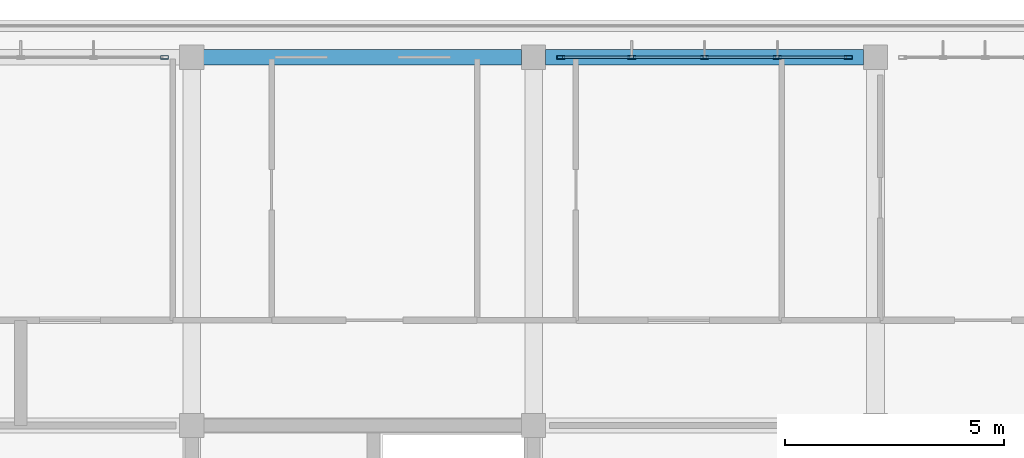
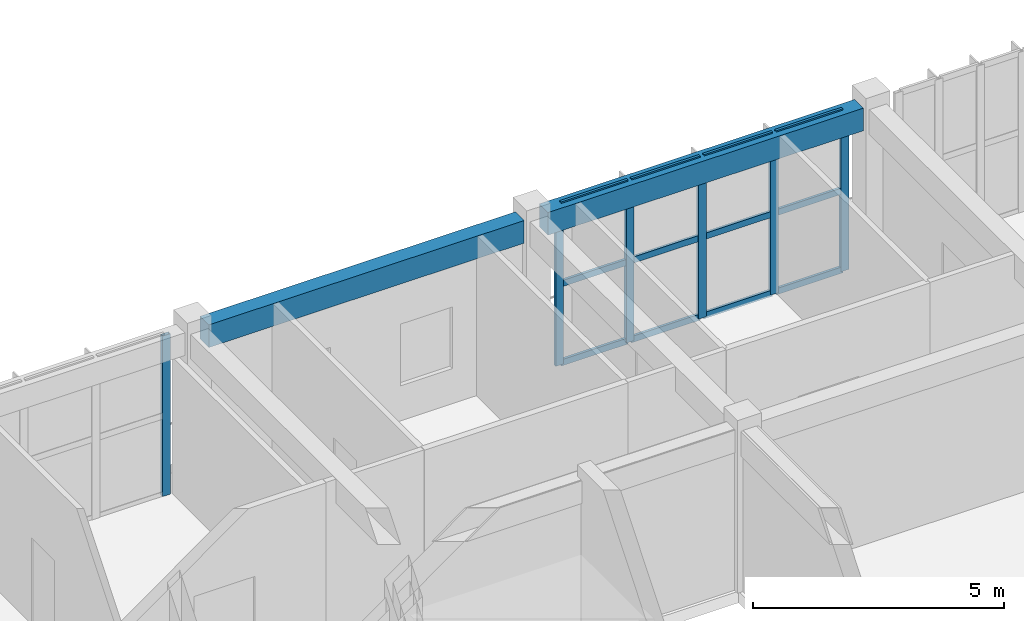
# One storey, part 18 of 44: 18 members, 2 beams, 2 elements without a shape of their own.
"""IFC4 building model written with IfcOpenShell, lengths in metres."""

import ifcopenshell
import ifcopenshell.guid

model = None  # the IFC model being written
_history = None  # IfcOwnerHistory: only IFC2X3 demands one
_inside = {}  # id of a spatial element -> (the spatial element, [elements in it])
_under = {}  # id of a project, library or spatial element -> (it, [spatial elements below it])
_declared = {}  # id of a project -> (the project, [libraries it declares])
_typed = {}  # id of a type object -> (the type object, [elements of that type])
_made_of = {}  # id of a material, layer set ... -> (it, [elements and type objects made of it])


def new_model(schema):
    """Start an empty IFC model of exactly this schema.

    Asked for "IFC4X3", IfcOpenShell would pick the latest addendum, in which some entities
    have other attributes; the version numbers below select the first issue.
    IFC2X3 requires an IfcOwnerHistory on every rooted entity: one is made here for all.
    """
    global model, _history
    if schema == "IFC4X3":
        model = ifcopenshell.file(schema_version=(4, 3, 0, 0))
    else:
        model = ifcopenshell.file(schema=schema)
    _inside.clear()
    _under.clear()
    _declared.clear()
    _typed.clear()
    _made_of.clear()
    _history = None
    if model.schema == "IFC2X3":
        org = make("IfcOrganization", Name="unknown")
        user = make(
            "IfcPersonAndOrganization",
            ThePerson=make("IfcPerson", FamilyName="unknown"),
            TheOrganization=org,
        )
        app = make(
            "IfcApplication",
            ApplicationDeveloper=org,
            Version="unknown",
            ApplicationFullName="unknown",
            ApplicationIdentifier="unknown",
        )
        _history = make(
            "IfcOwnerHistory",
            OwningUser=user,
            OwningApplication=app,
            ChangeAction="ADDED",
            CreationDate=0,
        )
    return model


def make(cls, **values):
    """One entity of the class cls with the attributes given. An attribute that is None is left unset."""
    return model.create_entity(
        cls, **{name: value for name, value in values.items() if value is not None}
    )


def rooted(cls, **values):
    """An entity with a GlobalId (a new one), such as an element, a storey or a relation."""
    return make(cls, GlobalId=ifcopenshell.guid.new(), OwnerHistory=_history, **values)


def si_unit(unit_type, name, prefix=None):
    """IfcSIUnit, for example si_unit("LENGTHUNIT", "METRE", prefix="MILLI")."""
    return make("IfcSIUnit", UnitType=unit_type, Prefix=prefix, Name=name)


def assignment(units):
    """IfcUnitAssignment: the units of a project."""
    return None if units is None else make("IfcUnitAssignment", Units=units)


def point(xyz):
    """IfcCartesianPoint."""
    return None if xyz is None else make("IfcCartesianPoint", Coordinates=xyz)


def direction(xyz):
    """IfcDirection."""
    return None if xyz is None else make("IfcDirection", DirectionRatios=xyz)


def frame(location, z_axis=None, x_axis=None):
    """IfcAxis2Placement3D, a coordinate frame: its origin and axes. An axis left out is left unset."""
    return make(
        "IfcAxis2Placement3D",
        Location=point(location),
        Axis=direction(z_axis),
        RefDirection=direction(x_axis),
    )


def frame_2d(location, x_axis=None):
    """IfcAxis2Placement2D, a coordinate frame in the plane: its origin and x axis."""
    return make(
        "IfcAxis2Placement2D", Location=point(location), RefDirection=direction(x_axis)
    )


def origin():
    """The frame at (0, 0, 0) with its axes left unset."""
    return frame((0.0, 0.0, 0.0))


def origin_2d():
    """The frame at (0, 0) in the plane with its x axis left unset."""
    return frame_2d((0.0, 0.0))


def place(relative_to, where):
    """IfcLocalPlacement: puts the frame where relative to a parent placement (None: the world)."""
    return make(
        "IfcLocalPlacement", PlacementRelTo=relative_to, RelativePlacement=where
    )


def context(
    kind, dimensions, precision=None, world=None, true_north=None, identifier=None
):
    """IfcGeometricRepresentationContext, for example the 3D "Model" context."""
    return make(
        "IfcGeometricRepresentationContext",
        ContextIdentifier=identifier,
        ContextType=kind,
        CoordinateSpaceDimension=dimensions,
        Precision=precision,
        WorldCoordinateSystem=world,
        TrueNorth=true_north,
    )


def subcontext(parent, identifier, kind, view, scale=None):
    """IfcGeometricRepresentationSubContext, for example "Body" below "Model"."""
    return make(
        "IfcGeometricRepresentationSubContext",
        ContextIdentifier=identifier,
        ContextType=kind,
        ParentContext=parent,
        TargetScale=scale,
        TargetView=view,
    )


def project(units=None, contexts=None):
    """IfcProject with its units and contexts."""
    return rooted(
        "IfcProject",
        Name="project",
        RepresentationContexts=contexts,
        UnitsInContext=assignment(units),
    )


def spatial(cls, under=None, at=None, **own):
    """A site, building, storey or space (cls), placed at a placement, below another one or the project."""
    s = rooted(cls, ObjectPlacement=at, **own)
    if under is not None:
        _under.setdefault(under.id(), (under, []))[1].append(s)
    return s


def profile(cls, at=None, kind="AREA", **sizes):
    """A parametric profile (cls). Its sizes go by their IFC names, for example OverallWidth=200.0."""
    return make(cls, ProfileType=kind, Position=at, **sizes)


def rectangle(**sizes):
    """IfcRectangleProfileDef."""
    return profile("IfcRectangleProfileDef", **sizes)


def hollow_rectangle(**sizes):
    """IfcRectangleHollowProfileDef."""
    return profile("IfcRectangleHollowProfileDef", **sizes)


def extrude(swept, where, along, depth):
    """IfcExtrudedAreaSolid: the profile swept, set in the frame where, extruded along a direction by depth."""
    return make(
        "IfcExtrudedAreaSolid",
        SweptArea=swept,
        Position=where,
        ExtrudedDirection=direction(along),
        Depth=depth,
    )


def shape(context_of_items, identifier, shape_type, items):
    """IfcShapeRepresentation: the items that make up one representation, for example the "Body"."""
    return make(
        "IfcShapeRepresentation",
        ContextOfItems=context_of_items,
        RepresentationIdentifier=identifier,
        RepresentationType=shape_type,
        Items=items,
    )


def material(Name=None, Category=None):
    """IfcMaterial."""
    return make("IfcMaterial", Name=Name, Category=Category)


def layer(
    of_material, thickness, ventilated=None, Name=None, Category=None, Priority=None
):
    """IfcMaterialLayer: one layer of a wall or slab, of a material (None: an air gap)."""
    return make(
        "IfcMaterialLayer",
        Material=of_material,
        LayerThickness=thickness,
        IsVentilated=ventilated,
        Name=Name,
        Category=Category,
        Priority=Priority,
    )


def layer_set(layers, Name=None):
    """IfcMaterialLayerSet."""
    return make("IfcMaterialLayerSet", MaterialLayers=layers, LayerSetName=Name)


def material_profile(
    of_material, cross_section, Name=None, Category=None, Priority=None
):
    """IfcMaterialProfile: a cross section and its material."""
    return make(
        "IfcMaterialProfile",
        Name=Name,
        Material=of_material,
        Profile=cross_section,
        Priority=Priority,
        Category=Category,
    )


def profile_set(profiles, Name=None, composite=None):
    """IfcMaterialProfileSet."""
    return make(
        "IfcMaterialProfileSet",
        Name=Name,
        MaterialProfiles=profiles,
        CompositeProfile=composite,
    )


def made_of(thing, what):
    """Note that an element or type object is made of a material, layer set ...; save() writes the relation."""
    if what is not None:
        _made_of.setdefault(what.id(), (what, []))[1].append(thing)
    return thing


def type_object(cls, material=None, **own):
    """A type object (cls), such as IfcWallType, which elements share."""
    return made_of(rooted(cls, **own), material)


def element(
    cls,
    number,
    at=None,
    inside=None,
    cuts=None,
    type_object=None,
    material=None,
    context=None,
    identifier="Body",
    shape_type=None,
    held_by="IfcProductDefinitionShape",
    body=None,
    shapes=None,
    **own,
):
    """One element of the class cls, such as IfcWall. Its Tag is "e" and its number.

    at: its placement. inside: the storey or other place that contains it. cuts: it is an
    opening in that element (IfcRelVoidsElement). A single representation is given by context,
    identifier, shape_type and body (its items); several are given by shapes. held_by: the class
    of the entity that holds the representations. save() writes the other relations.
    """
    e = rooted(cls, Tag="e%d" % number, ObjectPlacement=at, **own)
    if body is not None:
        shapes = [shape(context, identifier, shape_type, body)]
    if shapes is not None:
        e.Representation = make(held_by, Representations=shapes)
    if inside is not None:
        _inside.setdefault(inside.id(), (inside, []))[1].append(e)
    if cuts is not None:
        rooted(
            "IfcRelVoidsElement", RelatingBuildingElement=cuts, RelatedOpeningElement=e
        )
    if type_object is not None:
        _typed.setdefault(type_object.id(), (type_object, []))[1].append(e)
    return made_of(e, material)


def aggregate(whole, parts):
    """IfcRelAggregates: a whole, such as a stair, and the parts it consists of."""
    return rooted("IfcRelAggregates", RelatingObject=whole, RelatedObjects=parts)


def save(model, path):
    """Write the relations noted so far, then the file.

    IfcRelAggregates (storeys below a building ...), IfcRelContainedInSpatialStructure (elements
    in a storey), IfcRelDefinesByType, IfcRelAssociatesMaterial and IfcRelDeclares: one each for
    every whole, place, type object, material and project.
    """
    for whole, parts in _under.values():
        aggregate(whole, parts)
    for where, things in _inside.values():
        rooted(
            "IfcRelContainedInSpatialStructure",
            RelatedElements=things,
            RelatingStructure=where,
        )
    for kind, things in _typed.values():
        rooted("IfcRelDefinesByType", RelatedObjects=things, RelatingType=kind)
    for what, things in _made_of.values():
        rooted("IfcRelAssociatesMaterial", RelatedObjects=things, RelatingMaterial=what)
    for by, libraries in _declared.values():
        rooted("IfcRelDeclares", RelatingContext=by, RelatedDefinitions=libraries)
    model.write(path)


model = new_model("IFC4")

# Units and contexts
model_context = context("Model", 3, precision=1e-05, world=origin(), true_north=direction((0.0, 1.0)))
body_context = subcontext(model_context, "Body", "Model", "MODEL_VIEW")
ifc_project = project(units=[si_unit("LENGTHUNIT", "METRE"), si_unit("AREAUNIT", "SQUARE_METRE"), si_unit("VOLUMEUNIT", "CUBIC_METRE"), si_unit("PLANEANGLEUNIT", "RADIAN"), si_unit("MASSUNIT", "GRAM", prefix="KILO")], contexts=[model_context])

# Site, building, storey
site_placement = place(None, origin())
site = spatial("IfcSite", under=ifc_project, at=site_placement, CompositionType="ELEMENT")
building_placement = place(site_placement, origin())
building = spatial("IfcBuilding", under=site, at=building_placement, Name="Zizhar Promenade General Hospital", CompositionType="ELEMENT")
storey_placement = place(building_placement, frame((0.0, 0.0, 34.800048828125)))
storey = spatial("IfcBuildingStorey", under=building, at=storey_placement, Name="L08", CompositionType="ELEMENT", Elevation=34.800048828125)

# Beams
ifc_material_1 = material(Name="Concrete C35/45", Category="concrete")
ifc_material_profile_1 = material_profile(ifc_material_1, rectangle(XDim=0.35009765625, YDim=0.550048828125, at=origin_2d()))
ifc_profile_set_1 = profile_set([ifc_material_profile_1], Name="Concrete C35/45")
beam_type = type_object("IfcBeamType", Name="BM-RC-350x550", PredefinedType="LINTEL", material=ifc_profile_set_1)
for number, where, z_axis, x_axis, name in (
    (1, (78.27490234375, 25.199951171875, 3.635009765625), (1.0, 0.0, 0.0), (0.0, 1.0, 0.0), "Grid Beam X L08 (10-3)"),
    (2, (86.074951171875, 25.199951171875, 3.635009765625), (1.0, 0.0, 0.0), (0.0, 1.0, 0.0), "Grid Beam X L08 (11-3)"),
):
    element("IfcBeam", number, at=place(storey_placement, frame(where, z_axis=z_axis, x_axis=x_axis)), inside=storey, type_object=beam_type, Name=name, PredefinedType="LINTEL", context=body_context, shape_type="SweptSolid", body=[
        extrude(rectangle(XDim=0.35009765625, YDim=0.550048828125, at=origin_2d()), origin(), (0.0, 0.0, 1.0), 7.25),
    ])

# Curtain wall, member
ifc_material_2 = material(Name="Anodised aluminium 6063-T6 and low-E glass", Category="aluminium")
ifc_layer = layer(ifc_material_2, 0.159912109375)
ifc_layer_set = layer_set([ifc_layer], Name="Anodised aluminium 6063-T6 and low-E glass")
curtain_wall_type = type_object("IfcCurtainWallType", Name="CW-WARD-RIB", PredefinedType="NOTDEFINED", material=ifc_layer_set)
curtain_wall_1_placement = place(storey_placement, origin())
curtain_wall_1 = element("IfcCurtainWall", 3, at=curtain_wall_1_placement, inside=storey, type_object=curtain_wall_type, Name="Ward Ribbon Curtain Wall L08-8-3", PredefinedType="NOTDEFINED")
ifc_material_3 = material(Name="Anodised aluminium 6063-T6", Category="aluminium")
ifc_material_profile_2 = material_profile(ifc_material_3, hollow_rectangle(XDim=0.080078125, YDim=0.179931640625, WallThickness=0.0048828125, at=origin_2d()))
ifc_profile_set_2 = profile_set([ifc_material_profile_2], Name="Anodised aluminium 6063-T6")
member_type_1 = type_object("IfcMemberType", Name="CWM-ALU-180x80", PredefinedType="MULLION", material=ifc_profile_set_2)
member_1_placement = place(storey_placement, frame((77.3798828125, 25.199951171875, 0.0), z_axis=(0.0, 0.0, 1.0), x_axis=(0.0, 1.0, 0.0)))
member_1 = element("IfcMember", 4, at=member_1_placement, type_object=member_type_1, Name="CW-13 mullion 5", PredefinedType="MULLION", context=body_context, shape_type="SweptSolid", body=[
    extrude(hollow_rectangle(XDim=0.080078125, YDim=0.179931640625, WallThickness=0.0048828125, at=origin_2d()), origin(), (0.0, 0.0, 1.0), 3.89990234375),
])
aggregate(curtain_wall_1, [member_1])

# Curtain wall, members
curtain_wall_2_placement = place(storey_placement, origin())
curtain_wall_2 = element("IfcCurtainWall", 5, at=curtain_wall_2_placement, inside=storey, type_object=curtain_wall_type, Name="Ward Ribbon Curtain Wall L08-8-5", PredefinedType="NOTDEFINED")
member_2_placement = place(storey_placement, frame((86.419921875, 25.199951171875, 0.0), z_axis=(0.0, 0.0, 1.0), x_axis=(0.0, 1.0, 0.0)))
member_2 = element("IfcMember", 6, at=member_2_placement, type_object=member_type_1, Name="CW-13 mullion 1", PredefinedType="MULLION", context=body_context, shape_type="SweptSolid", body=[
    extrude(hollow_rectangle(XDim=0.080078125, YDim=0.179931640625, WallThickness=0.0048828125, at=origin_2d()), origin(), (0.0, 0.0, 1.0), 3.89990234375),
])
member_3_placement = place(storey_placement, frame((88.0400390625, 25.199951171875, 0.0), z_axis=(0.0, 0.0, 1.0), x_axis=(0.0, 1.0, 0.0)))
member_3 = element("IfcMember", 7, at=member_3_placement, type_object=member_type_1, Name="CW-13 mullion 2", PredefinedType="MULLION", context=body_context, shape_type="SweptSolid", body=[
    extrude(hollow_rectangle(XDim=0.080078125, YDim=0.179931640625, WallThickness=0.0048828125, at=origin_2d()), origin(), (0.0, 0.0, 1.0), 3.89990234375),
])
member_4_placement = place(storey_placement, frame((89.699951171875, 25.199951171875, 0.0), z_axis=(0.0, 0.0, 1.0), x_axis=(0.0, 1.0, 0.0)))
member_4 = element("IfcMember", 8, at=member_4_placement, type_object=member_type_1, Name="CW-13 mullion 3", PredefinedType="MULLION", context=body_context, shape_type="SweptSolid", body=[
    extrude(hollow_rectangle(XDim=0.080078125, YDim=0.179931640625, WallThickness=0.0048828125, at=origin_2d()), origin(), (0.0, 0.0, 1.0), 3.89990234375),
])
member_5_placement = place(storey_placement, frame((91.360107421875, 25.199951171875, 0.0), z_axis=(0.0, 0.0, 1.0), x_axis=(0.0, 1.0, 0.0)))
member_5 = element("IfcMember", 9, at=member_5_placement, type_object=member_type_1, Name="CW-13 mullion 4", PredefinedType="MULLION", context=body_context, shape_type="SweptSolid", body=[
    extrude(hollow_rectangle(XDim=0.080078125, YDim=0.179931640625, WallThickness=0.0048828125, at=origin_2d()), origin(), (0.0, 0.0, 1.0), 3.89990234375),
])
member_6_placement = place(storey_placement, frame((92.97998046875, 25.199951171875, 0.0), z_axis=(0.0, 0.0, 1.0), x_axis=(0.0, 1.0, 0.0)))
member_6 = element("IfcMember", 10, at=member_6_placement, type_object=member_type_1, Name="CW-13 mullion 5", PredefinedType="MULLION", context=body_context, shape_type="SweptSolid", body=[
    extrude(hollow_rectangle(XDim=0.080078125, YDim=0.179931640625, WallThickness=0.0048828125, at=origin_2d()), origin(), (0.0, 0.0, 1.0), 3.89990234375),
])
ifc_material_4 = material(Name="Anodised aluminium 6063-T6", Category="aluminium")
ifc_material_profile_3 = material_profile(ifc_material_4, hollow_rectangle(XDim=0.06005859375, YDim=0.14990234375, WallThickness=0.00390625, at=origin_2d()))
ifc_profile_set_3 = profile_set([ifc_material_profile_3], Name="Anodised aluminium 6063-T6")
member_type_2 = type_object("IfcMemberType", Name="CWT-ALU-150x60", PredefinedType="USERDEFINED", material=ifc_profile_set_3)
member_7_placement = place(storey_placement, frame((86.4599609375, 25.199951171875, 0.030029296875), z_axis=(1.0, 0.0, 0.0), x_axis=(0.0, 1.0, 0.0)))
member_7 = element("IfcMember", 11, at=member_7_placement, type_object=member_type_2, Name="CW-13 transom 1.1", ObjectType="TRANSOM", PredefinedType="USERDEFINED", context=body_context, shape_type="SweptSolid", body=[
    extrude(hollow_rectangle(XDim=0.06005859375, YDim=0.14990234375, WallThickness=0.00390625, at=origin_2d()), origin(), (0.0, 0.0, 1.0), 1.5400390625),
])
member_8_placement = place(storey_placement, frame((86.4599609375, 25.199951171875, 1.949951171875), z_axis=(1.0, 0.0, 0.0), x_axis=(0.0, 1.0, 0.0)))
member_8 = element("IfcMember", 12, at=member_8_placement, type_object=member_type_2, Name="CW-13 transom 1.2", ObjectType="TRANSOM", PredefinedType="USERDEFINED", context=body_context, shape_type="SweptSolid", body=[
    extrude(hollow_rectangle(XDim=0.06005859375, YDim=0.14990234375, WallThickness=0.00390625, at=origin_2d()), origin(), (0.0, 0.0, 1.0), 1.5400390625),
])
member_9_placement = place(storey_placement, frame((86.4599609375, 25.199951171875, 3.869873046875), z_axis=(1.0, 0.0, 0.0), x_axis=(0.0, 1.0, 0.0)))
member_9 = element("IfcMember", 13, at=member_9_placement, type_object=member_type_2, Name="CW-13 transom 1.3", ObjectType="TRANSOM", PredefinedType="USERDEFINED", context=body_context, shape_type="SweptSolid", body=[
    extrude(hollow_rectangle(XDim=0.06005859375, YDim=0.14990234375, WallThickness=0.00390625, at=origin_2d()), origin(), (0.0, 0.0, 1.0), 1.5400390625),
])
member_10_placement = place(storey_placement, frame((88.080078125, 25.199951171875, 0.030029296875), z_axis=(1.0, 0.0, 0.0), x_axis=(0.0, 1.0, 0.0)))
member_10 = element("IfcMember", 14, at=member_10_placement, type_object=member_type_2, Name="CW-13 transom 2.1", ObjectType="TRANSOM", PredefinedType="USERDEFINED", context=body_context, shape_type="SweptSolid", body=[
    extrude(hollow_rectangle(XDim=0.06005859375, YDim=0.14990234375, WallThickness=0.00390625, at=origin_2d()), origin(), (0.0, 0.0, 1.0), 1.579833984375),
])
member_11_placement = place(storey_placement, frame((88.080078125, 25.199951171875, 1.949951171875), z_axis=(1.0, 0.0, 0.0), x_axis=(0.0, 1.0, 0.0)))
member_11 = element("IfcMember", 15, at=member_11_placement, type_object=member_type_2, Name="CW-13 transom 2.2", ObjectType="TRANSOM", PredefinedType="USERDEFINED", context=body_context, shape_type="SweptSolid", body=[
    extrude(hollow_rectangle(XDim=0.06005859375, YDim=0.14990234375, WallThickness=0.00390625, at=origin_2d()), origin(), (0.0, 0.0, 1.0), 1.579833984375),
])
member_12_placement = place(storey_placement, frame((88.080078125, 25.199951171875, 3.869873046875), z_axis=(1.0, 0.0, 0.0), x_axis=(0.0, 1.0, 0.0)))
member_12 = element("IfcMember", 16, at=member_12_placement, type_object=member_type_2, Name="CW-13 transom 2.3", ObjectType="TRANSOM", PredefinedType="USERDEFINED", context=body_context, shape_type="SweptSolid", body=[
    extrude(hollow_rectangle(XDim=0.06005859375, YDim=0.14990234375, WallThickness=0.00390625, at=origin_2d()), origin(), (0.0, 0.0, 1.0), 1.579833984375),
])
member_13_placement = place(storey_placement, frame((89.739990234375, 25.199951171875, 0.030029296875), z_axis=(1.0, 0.0, 0.0), x_axis=(0.0, 1.0, 0.0)))
member_13 = element("IfcMember", 17, at=member_13_placement, type_object=member_type_2, Name="CW-13 transom 3.1", ObjectType="TRANSOM", PredefinedType="USERDEFINED", context=body_context, shape_type="SweptSolid", body=[
    extrude(hollow_rectangle(XDim=0.06005859375, YDim=0.14990234375, WallThickness=0.00390625, at=origin_2d()), origin(), (0.0, 0.0, 1.0), 1.580078125),
])
member_14_placement = place(storey_placement, frame((89.739990234375, 25.199951171875, 1.949951171875), z_axis=(1.0, 0.0, 0.0), x_axis=(0.0, 1.0, 0.0)))
member_14 = element("IfcMember", 18, at=member_14_placement, type_object=member_type_2, Name="CW-13 transom 3.2", ObjectType="TRANSOM", PredefinedType="USERDEFINED", context=body_context, shape_type="SweptSolid", body=[
    extrude(hollow_rectangle(XDim=0.06005859375, YDim=0.14990234375, WallThickness=0.00390625, at=origin_2d()), origin(), (0.0, 0.0, 1.0), 1.580078125),
])
member_15_placement = place(storey_placement, frame((89.739990234375, 25.199951171875, 3.869873046875), z_axis=(1.0, 0.0, 0.0), x_axis=(0.0, 1.0, 0.0)))
member_15 = element("IfcMember", 19, at=member_15_placement, type_object=member_type_2, Name="CW-13 transom 3.3", ObjectType="TRANSOM", PredefinedType="USERDEFINED", context=body_context, shape_type="SweptSolid", body=[
    extrude(hollow_rectangle(XDim=0.06005859375, YDim=0.14990234375, WallThickness=0.00390625, at=origin_2d()), origin(), (0.0, 0.0, 1.0), 1.580078125),
])
member_16_placement = place(storey_placement, frame((91.39990234375, 25.199951171875, 0.030029296875), z_axis=(1.0, 0.0, 0.0), x_axis=(0.0, 1.0, 0.0)))
member_16 = element("IfcMember", 20, at=member_16_placement, type_object=member_type_2, Name="CW-13 transom 4.1", ObjectType="TRANSOM", PredefinedType="USERDEFINED", context=body_context, shape_type="SweptSolid", body=[
    extrude(hollow_rectangle(XDim=0.06005859375, YDim=0.14990234375, WallThickness=0.00390625, at=origin_2d()), origin(), (0.0, 0.0, 1.0), 1.5400390625),
])
member_17_placement = place(storey_placement, frame((91.39990234375, 25.199951171875, 1.949951171875), z_axis=(1.0, 0.0, 0.0), x_axis=(0.0, 1.0, 0.0)))
member_17 = element("IfcMember", 21, at=member_17_placement, type_object=member_type_2, Name="CW-13 transom 4.2", ObjectType="TRANSOM", PredefinedType="USERDEFINED", context=body_context, shape_type="SweptSolid", body=[
    extrude(hollow_rectangle(XDim=0.06005859375, YDim=0.14990234375, WallThickness=0.00390625, at=origin_2d()), origin(), (0.0, 0.0, 1.0), 1.5400390625),
])
member_18_placement = place(storey_placement, frame((91.39990234375, 25.199951171875, 3.869873046875), z_axis=(1.0, 0.0, 0.0), x_axis=(0.0, 1.0, 0.0)))
member_18 = element("IfcMember", 22, at=member_18_placement, type_object=member_type_2, Name="CW-13 transom 4.3", ObjectType="TRANSOM", PredefinedType="USERDEFINED", context=body_context, shape_type="SweptSolid", body=[
    extrude(hollow_rectangle(XDim=0.06005859375, YDim=0.14990234375, WallThickness=0.00390625, at=origin_2d()), origin(), (0.0, 0.0, 1.0), 1.5400390625),
])
aggregate(curtain_wall_2, [member_2, member_3, member_4, member_5, member_6, member_7, member_8, member_9, member_10, member_11, member_12, member_13, member_14, member_15, member_16, member_17, member_18])

save(model, "model.ifc")
